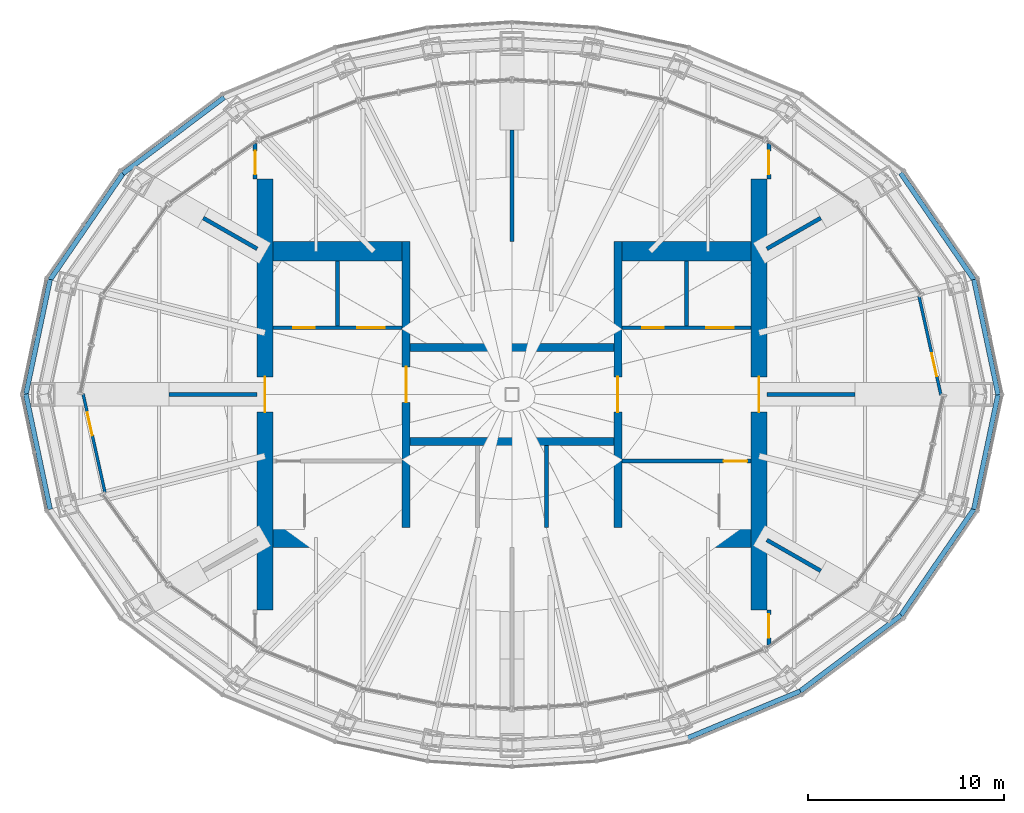
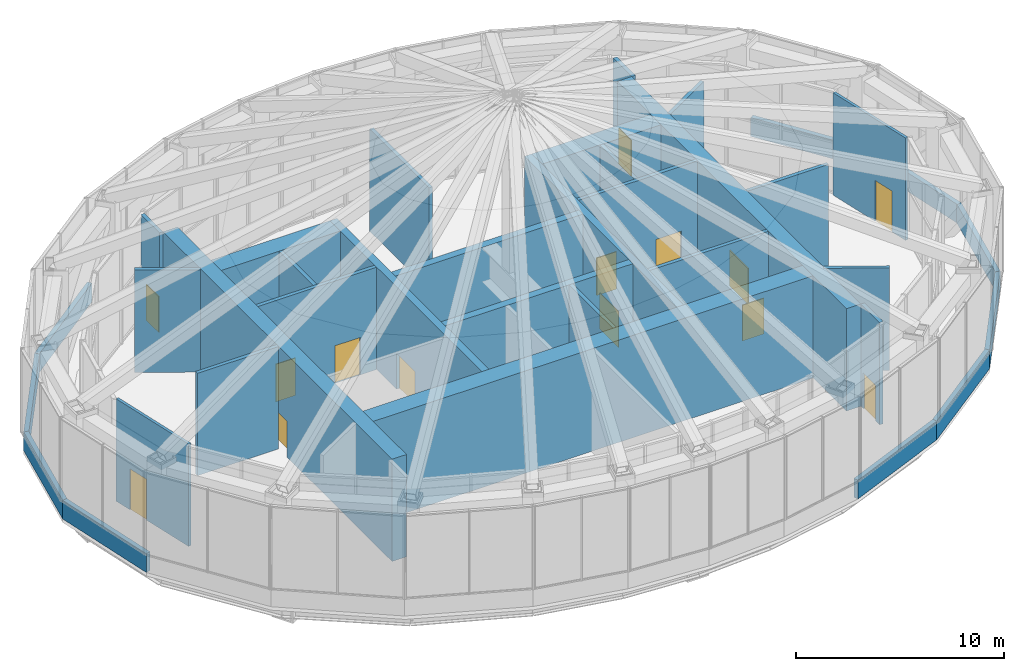
# One storey, part 19 of 21: 36 walls, 14 doors, 14 openings.
"""IFC4 building model written with IfcOpenShell, lengths in metres."""

from ifc_helpers import new_model, si_unit, direction, frame, frame_2d, origin, place, context, subcontext, project, spatial, rectangle, extrude, material, layer, layer_set, type_object, element, fill, save


model = new_model("IFC4")

# Units and contexts
model_context = context("Model", 3, precision=1e-05, world=origin(), true_north=direction((0.0, 1.0)))
body_context = subcontext(model_context, "Body", "Model", "MODEL_VIEW")
ifc_project = project(units=[si_unit("LENGTHUNIT", "METRE"), si_unit("AREAUNIT", "SQUARE_METRE"), si_unit("VOLUMEUNIT", "CUBIC_METRE"), si_unit("PLANEANGLEUNIT", "RADIAN"), si_unit("MASSUNIT", "GRAM", prefix="KILO")], contexts=[model_context])

# Site, building, storey
site_placement = place(None, origin())
site = spatial("IfcSite", under=ifc_project, at=site_placement, CompositionType="ELEMENT")
building_placement = place(site_placement, origin())
building = spatial("IfcBuilding", under=site, at=building_placement, Name="Lantaw Convention Tower", CompositionType="ELEMENT")
storey_placement = place(building_placement, frame((0.0, 0.0, 290.39990234375)))
storey = spatial("IfcBuildingStorey", under=building, at=storey_placement, Name="L67", CompositionType="ELEMENT", Elevation=290.39990234375)

# Walls
ifc_material_1 = material(Name="Concrete C60/75", Category="concrete")
ifc_layer_1 = layer(ifc_material_1, 1.0)
ifc_layer_set_1 = layer_set([ifc_layer_1], Name="Core wall 1000")
wall_type_1 = type_object("IfcWallType", Name="Core wall 1000", PredefinedType="SHEAR", material=ifc_layer_set_1)
wall_1_placement = place(storey_placement, frame((-12.199951171875, -7.300048828125, 0.0), z_axis=(0.0, 0.0, 1.0), x_axis=(1.0, 0.0, 0.0)))
element("IfcWall", 1, at=wall_1_placement, inside=storey, type_object=wall_type_1, Name="Core wall S", PredefinedType="SHEAR", context=body_context, shape_type="SweptSolid", body=[
    extrude(rectangle(XDim=24.39990234375, YDim=1.0, at=frame_2d((12.199951171875, 0.0))), origin(), (0.0, 0.0, 1.0), 6.0),
])
for number, where, z_axis, x_axis, name in (
    (2, (12.199951171875, 7.300048828125, 0.0), (0.0, 0.0, 1.0), (-1.0, 0.0, 0.0), "Core wall NE"),
    (3, (-5.60009765625, 7.300048828125, 0.0), (0.0, 0.0, 1.0), (-1.0, 0.0, 0.0), "Core wall NW"),
):
    element("IfcWall", number, at=place(storey_placement, frame(where, z_axis=z_axis, x_axis=x_axis)), inside=storey, type_object=wall_type_1, Name=name, PredefinedType="SHEAR", context=body_context, shape_type="SweptSolid", body=[
        extrude(rectangle(XDim=6.599853515625, YDim=1.0, at=frame_2d((3.2998046875, 0.0))), origin(), (0.0, 0.0, 1.0), 6.0),
    ])

# Wall, opening, door
ifc_layer_2 = layer(ifc_material_1, 0.199951171875)
ifc_layer_set_2 = layer_set([ifc_layer_2], Name="Core wall 200")
wall_type_2 = type_object("IfcWallType", Name="Core wall 200", PredefinedType="SHEAR", material=ifc_layer_set_2)
wall_2_placement = place(storey_placement, frame((5.60009765625, -3.39990234375, 0.0), z_axis=(0.0, 0.0, 1.0), x_axis=(1.0, 0.0, 0.0)))
wall_2 = element("IfcWall", 4, at=wall_2_placement, inside=storey, type_object=wall_type_2, Name="Core wall ES", PredefinedType="SHEAR", context=body_context, shape_type="SweptSolid", body=[
    extrude(rectangle(XDim=6.599853515625, YDim=0.199951171875, at=frame_2d((3.2998046875, 0.0))), origin(), (0.0, 0.0, 1.0), 6.0),
])
opening_1_placement = place(wall_2_placement, frame((5.199951171875, 0.0, 0.0)))
opening_1 = element("IfcOpeningElement", 5, at=opening_1_placement, cuts=wall_2, Name="Opening L67.03", PredefinedType="OPENING", context=body_context, shape_type="SweptSolid", body=[
    extrude(rectangle(XDim=1.199951171875, YDim=2.10009765625, at=frame_2d((0.60009765625, 1.050048828125))), frame((0.0, 0.10986328125, 0.0), z_axis=(0.0, -1.0, 0.0), x_axis=(1.0, 0.0, 0.0)), (0.0, 0.0, 1.0), 0.219970703125),
])
ifc_material_2 = material(Name="Steel, fire rated", Category="steel")
door_type_1 = type_object("IfcDoorType", Name="Stair door FD90", OperationType="SINGLE_SWING_RIGHT", PredefinedType="DOOR", material=ifc_material_2)
door_1_placement = place(opening_1_placement, origin())
door_1 = element("IfcDoor", 6, at=door_1_placement, inside=storey, type_object=door_type_1, Name="Exit stair door", OperationType="SINGLE_SWING_RIGHT", OverallHeight=2.10009765625, OverallWidth=1.199951171875, PredefinedType="DOOR", context=body_context, shape_type="SweptSolid", body=[
    extrude(rectangle(XDim=1.199951171875, YDim=2.10009765625, at=frame_2d((0.60009765625, 1.050048828125))), frame((0.0, 0.02490234375, 0.0), z_axis=(0.0, -1.0, 0.0), x_axis=(1.0, 0.0, 0.0)), (0.0, 0.0, 1.0), 0.050048828125),
])
fill(opening_1, door_1)

ifc_layer_3 = layer(ifc_material_1, 0.39990234375)
ifc_layer_set_3 = layer_set([ifc_layer_3], Name="Core wall 400")
wall_type_3 = type_object("IfcWallType", Name="Core wall 400", PredefinedType="SHEAR", material=ifc_layer_set_3)
wall_3_placement = place(storey_placement, frame((5.39990234375, -6.800048828125, 0.0), z_axis=(0.0, 0.0, 1.0), x_axis=(0.0, 1.0, 0.0)))
wall_3 = element("IfcWall", 7, at=wall_3_placement, inside=storey, type_object=wall_type_3, Name="Core wall XE", PredefinedType="SHEAR", context=body_context, shape_type="SweptSolid", body=[
    extrude(rectangle(XDim=14.60009765625, YDim=0.39990234375, at=frame_2d((7.300048828125, 0.0))), origin(), (0.0, 0.0, 1.0), 6.0),
])
opening_2_placement = place(wall_3_placement, frame((5.89990234375, 0.0, 0.0)))
opening_2 = element("IfcOpeningElement", 8, at=opening_2_placement, cuts=wall_3, Name="Opening L67.01", PredefinedType="OPENING", context=body_context, shape_type="SweptSolid", body=[
    extrude(rectangle(XDim=1.800048828125, YDim=2.10009765625, at=frame_2d((0.89990234375, 1.050048828125))), frame((0.0, 0.2099609375, 0.0), z_axis=(0.0, -1.0, 0.0), x_axis=(1.0, 0.0, 0.0)), (0.0, 0.0, 1.0), 0.419921875),
])
door_type_2 = type_object("IfcDoorType", Name="Lobby double door FD90", OperationType="DOUBLE_DOOR_DOUBLE_SWING", PredefinedType="DOOR", material=ifc_material_2)
door_2_placement = place(opening_2_placement, origin())
door_2 = element("IfcDoor", 9, at=door_2_placement, inside=storey, type_object=door_type_2, Name="Lift lobby door", OperationType="DOUBLE_DOOR_DOUBLE_SWING", OverallHeight=2.10009765625, OverallWidth=1.800048828125, PredefinedType="DOOR", context=body_context, shape_type="SweptSolid", body=[
    extrude(rectangle(XDim=1.800048828125, YDim=2.10009765625, at=frame_2d((0.89990234375, 1.050048828125))), frame((0.0, 0.02490234375, 0.0), z_axis=(0.0, -1.0, 0.0), x_axis=(1.0, 0.0, 0.0)), (0.0, 0.0, 1.0), 0.050048828125),
])
fill(opening_2, door_2)

wall_4_placement = place(storey_placement, frame((-5.39990234375, 7.800048828125, 0.0), z_axis=(0.0, 0.0, 1.0), x_axis=(0.0, -1.0, 0.0)))
wall_4 = element("IfcWall", 10, at=wall_4_placement, inside=storey, type_object=wall_type_3, Name="Core wall XW", PredefinedType="SHEAR", context=body_context, shape_type="SweptSolid", body=[
    extrude(rectangle(XDim=14.60009765625, YDim=0.39990234375, at=frame_2d((7.300048828125, 0.0))), origin(), (0.0, 0.0, 1.0), 6.0),
])
opening_3_placement = place(wall_4_placement, frame((6.39990234375, 0.0, 0.0)))
opening_3 = element("IfcOpeningElement", 11, at=opening_3_placement, cuts=wall_4, Name="Opening L67.02", PredefinedType="OPENING", context=body_context, shape_type="SweptSolid", body=[
    extrude(rectangle(XDim=1.800048828125, YDim=2.10009765625, at=frame_2d((0.89990234375, 1.050048828125))), frame((0.0, 0.2099609375, 0.0), z_axis=(0.0, -1.0, 0.0), x_axis=(1.0, 0.0, 0.0)), (0.0, 0.0, 1.0), 0.419921875),
])
door_3_placement = place(opening_3_placement, origin())
door_3 = element("IfcDoor", 12, at=door_3_placement, inside=storey, type_object=door_type_2, Name="Lift lobby door", OperationType="DOUBLE_DOOR_DOUBLE_SWING", OverallHeight=2.10009765625, OverallWidth=1.800048828125, PredefinedType="DOOR", context=body_context, shape_type="SweptSolid", body=[
    extrude(rectangle(XDim=1.800048828125, YDim=2.10009765625, at=frame_2d((0.89990234375, 1.050048828125))), frame((0.0, 0.02490234375, 0.0), z_axis=(0.0, -1.0, 0.0), x_axis=(1.0, 0.0, 0.0)), (0.0, 0.0, 1.0), 0.050048828125),
])
fill(opening_3, door_3)

# Walls
for number, where, z_axis, x_axis, name in (
    (13, (-5.199951171875, -2.39990234375, 0.0), (0.0, 0.0, 1.0), (1.0, 0.0, 0.0), "Core wall BS"),
    (14, (5.199951171875, 2.39990234375, 0.0), (0.0, 0.0, 1.0), (-1.0, 0.0, 0.0), "Core wall BN"),
):
    element("IfcWall", number, at=place(storey_placement, frame(where, z_axis=z_axis, x_axis=x_axis)), inside=storey, type_object=wall_type_3, Name=name, PredefinedType="SHEAR", context=body_context, shape_type="SweptSolid", body=[
        extrude(rectangle(XDim=10.39990234375, YDim=0.39990234375, at=frame_2d((5.199951171875, 0.0))), origin(), (0.0, 0.0, 1.0), 6.0),
    ])

# Wall, opening, door
ifc_layer_4 = layer(ifc_material_1, 0.800048828125)
ifc_layer_set_4 = layer_set([ifc_layer_4], Name="Core wall 800")
wall_type_4 = type_object("IfcWallType", Name="Core wall 800", PredefinedType="SHEAR", material=ifc_layer_set_4)
wall_5_placement = place(storey_placement, frame((12.60009765625, -11.0, 0.0), z_axis=(0.0, 0.0, 1.0), x_axis=(0.0, 1.0, 0.0)))
wall_5 = element("IfcWall", 15, at=wall_5_placement, inside=storey, type_object=wall_type_4, Name="Core wall E", PredefinedType="SHEAR", context=body_context, shape_type="SweptSolid", body=[
    extrude(rectangle(XDim=22.0, YDim=0.800048828125, at=frame_2d((11.0, 0.0))), origin(), (0.0, 0.0, 1.0), 6.0),
])
opening_4_placement = place(wall_5_placement, frame((10.10009765625, 0.0, 0.0)))
opening_4 = element("IfcOpeningElement", 16, at=opening_4_placement, cuts=wall_5, Name="Opening L67.05", PredefinedType="OPENING", context=body_context, shape_type="SweptSolid", body=[
    extrude(rectangle(XDim=1.800048828125, YDim=2.10009765625, at=frame_2d((0.89990234375, 1.050048828125))), frame((0.0, 0.409912109375, 0.0), z_axis=(0.0, -1.0, 0.0), x_axis=(1.0, 0.0, 0.0)), (0.0, 0.0, 1.0), 0.820068359375),
])
door_4_placement = place(opening_4_placement, origin())
door_4 = element("IfcDoor", 17, at=door_4_placement, inside=storey, type_object=door_type_2, Name="Firefighting lobby door", OperationType="DOUBLE_DOOR_DOUBLE_SWING", OverallHeight=2.10009765625, OverallWidth=1.800048828125, PredefinedType="DOOR", context=body_context, shape_type="SweptSolid", body=[
    extrude(rectangle(XDim=1.800048828125, YDim=2.10009765625, at=frame_2d((0.89990234375, 1.050048828125))), frame((0.0, 0.02490234375, 0.0), z_axis=(0.0, -1.0, 0.0), x_axis=(1.0, 0.0, 0.0)), (0.0, 0.0, 1.0), 0.050048828125),
])
fill(opening_4, door_4)

wall_6_placement = place(storey_placement, frame((-12.60009765625, 11.0, 0.0), z_axis=(0.0, 0.0, 1.0), x_axis=(0.0, -1.0, 0.0)))
wall_6 = element("IfcWall", 18, at=wall_6_placement, inside=storey, type_object=wall_type_4, Name="Core wall W", PredefinedType="SHEAR", context=body_context, shape_type="SweptSolid", body=[
    extrude(rectangle(XDim=22.0, YDim=0.800048828125, at=frame_2d((11.0, 0.0))), origin(), (0.0, 0.0, 1.0), 6.0),
])
opening_5_placement = place(wall_6_placement, frame((10.10009765625, 0.0, 0.0)))
opening_5 = element("IfcOpeningElement", 19, at=opening_5_placement, cuts=wall_6, Name="Opening L67.06", PredefinedType="OPENING", context=body_context, shape_type="SweptSolid", body=[
    extrude(rectangle(XDim=1.800048828125, YDim=2.10009765625, at=frame_2d((0.89990234375, 1.050048828125))), frame((0.0, 0.409912109375, 0.0), z_axis=(0.0, -1.0, 0.0), x_axis=(1.0, 0.0, 0.0)), (0.0, 0.0, 1.0), 0.820068359375),
])
door_5_placement = place(opening_5_placement, origin())
door_5 = element("IfcDoor", 20, at=door_5_placement, inside=storey, type_object=door_type_2, Name="Firefighting lobby door", OperationType="DOUBLE_DOOR_DOUBLE_SWING", OverallHeight=2.10009765625, OverallWidth=1.800048828125, PredefinedType="DOOR", context=body_context, shape_type="SweptSolid", body=[
    extrude(rectangle(XDim=1.800048828125, YDim=2.10009765625, at=frame_2d((0.89990234375, 1.050048828125))), frame((0.0, 0.02490234375, 0.0), z_axis=(0.0, -1.0, 0.0), x_axis=(1.0, 0.0, 0.0)), (0.0, 0.0, 1.0), 0.050048828125),
])
fill(opening_5, door_5)

ifc_material_3 = material(Name="Aluminium framed glazing", Category="aluminium")
ifc_layer_5 = layer(ifc_material_3, 0.14990234375)
ifc_layer_set_5 = layer_set([ifc_layer_5], Name="Glazed entrance screen 150")
wall_type_5 = type_object("IfcWallType", Name="Glazed entrance screen 150", PredefinedType="ELEMENTEDWALL", material=ifc_layer_set_5)
wall_7_placement = place(storey_placement, frame((21.88037109375, -0.032470703125, 0.0), z_axis=(0.0, 0.0, 1.0), x_axis=(-0.216770090684, 0.976222683503, 0.0)))
wall_7 = element("IfcWall", 21, at=wall_7_placement, inside=storey, type_object=wall_type_5, Name="Glazed entrance screen", PredefinedType="ELEMENTEDWALL", context=body_context, shape_type="SweptSolid", body=[
    extrude(rectangle(XDim=5.158203125, YDim=0.14990234375, at=frame_2d((2.5791015625, 0.0))), origin(), (0.0, 0.0, 1.0), 6.0),
])
opening_6_placement = place(wall_7_placement, frame((0.979248046875, 0.0, 0.0)))
opening_6 = element("IfcOpeningElement", 22, at=opening_6_placement, cuts=wall_7, Name="Opening L67.E00", PredefinedType="OPENING", context=body_context, shape_type="SweptSolid", body=[
    extrude(rectangle(XDim=1.199951171875, YDim=2.39990234375, at=frame_2d((0.60009765625, 1.199951171875))), frame((0.0, 0.0849609375, 0.0), z_axis=(0.0, -1.0, 0.0), x_axis=(1.0, 0.0, 0.0)), (0.0, 0.0, 1.0), 0.169921875),
])
ifc_material_4 = material(Name="Aluminium and glass", Category="aluminium")
door_type_3 = type_object("IfcDoorType", Name="Ledge maintenance door 1200", OperationType="DOUBLE_DOOR_DOUBLE_SWING", PredefinedType="DOOR", material=ifc_material_4)
door_6_placement = place(opening_6_placement, origin())
door_6 = element("IfcDoor", 23, at=door_6_placement, inside=storey, type_object=door_type_3, Name="Ledge maintenance access door", OperationType="DOUBLE_DOOR_DOUBLE_SWING", OverallHeight=2.39990234375, OverallWidth=1.199951171875, PredefinedType="DOOR", context=body_context, shape_type="SweptSolid", body=[
    extrude(rectangle(XDim=1.199951171875, YDim=2.39990234375, at=frame_2d((0.60009765625, 1.199951171875))), frame((0.0, 0.02490234375, 0.0), z_axis=(0.0, -1.0, 0.0), x_axis=(1.0, 0.0, 0.0)), (0.0, 0.0, 1.0), 0.050048828125),
])
fill(opening_6, door_6)

wall_8_placement = place(storey_placement, frame((-21.88037109375, 0.032470703125, 0.0), z_axis=(0.0, 0.0, 1.0), x_axis=(0.216770090684, -0.976222683503, 0.0)))
wall_8 = element("IfcWall", 24, at=wall_8_placement, inside=storey, type_object=wall_type_5, Name="Glazed entrance screen", PredefinedType="ELEMENTEDWALL", context=body_context, shape_type="SweptSolid", body=[
    extrude(rectangle(XDim=5.158203125, YDim=0.14990234375, at=frame_2d((2.5791015625, 0.0))), origin(), (0.0, 0.0, 1.0), 6.0),
])
opening_7_placement = place(wall_8_placement, frame((0.979248046875, 0.0, 0.0)))
opening_7 = element("IfcOpeningElement", 25, at=opening_7_placement, cuts=wall_8, Name="Opening L67.E12", PredefinedType="OPENING", context=body_context, shape_type="SweptSolid", body=[
    extrude(rectangle(XDim=1.199951171875, YDim=2.39990234375, at=frame_2d((0.60009765625, 1.199951171875))), frame((0.0, 0.0849609375, 0.0), z_axis=(0.0, -1.0, 0.0), x_axis=(1.0, 0.0, 0.0)), (0.0, 0.0, 1.0), 0.169921875),
])
door_7_placement = place(opening_7_placement, origin())
door_7 = element("IfcDoor", 26, at=door_7_placement, inside=storey, type_object=door_type_3, Name="Ledge maintenance access door", OperationType="DOUBLE_DOOR_DOUBLE_SWING", OverallHeight=2.39990234375, OverallWidth=1.199951171875, PredefinedType="DOOR", context=body_context, shape_type="SweptSolid", body=[
    extrude(rectangle(XDim=1.199951171875, YDim=2.39990234375, at=frame_2d((0.60009765625, 1.199951171875))), frame((0.0, 0.02490234375, 0.0), z_axis=(0.0, -1.0, 0.0), x_axis=(1.0, 0.0, 0.0)), (0.0, 0.0, 1.0), 0.050048828125),
])
fill(opening_7, door_7)

# Walls
ifc_material_5 = material(Name="Concrete C35/45 with aluminium coping", Category="concrete")
ifc_layer_6 = layer(ifc_material_5, 0.25)
ifc_layer_set_6 = layer_set([ifc_layer_6], Name="Parapet 250")
wall_type_6 = type_object("IfcWallType", Name="Parapet 250", PredefinedType="PARAPET", material=ifc_layer_set_6)
wall_9_placement = place(storey_placement, frame((24.7998046875, -0.01953125, 0.0), z_axis=(0.0, 0.0, 1.0), x_axis=(-0.2058241832, 0.978588987068, 0.0)))
element("IfcWall", 27, at=wall_9_placement, inside=storey, type_object=wall_type_6, Name="Ledge parapet", PredefinedType="PARAPET", context=body_context, shape_type="SweptSolid", body=[
    extrude(rectangle(XDim=6.01025390625, YDim=0.25, at=frame_2d((3.005126953125, 0.0))), origin(), (0.0, 0.0, 1.0), 1.10009765625),
])
wall_10_placement = place(storey_placement, frame((23.578125, 5.825927734375, 0.0), z_axis=(0.0, 0.0, 1.0), x_axis=(-0.565946016037, 0.824442300547, 0.0)))
element("IfcWall", 28, at=wall_10_placement, inside=storey, type_object=wall_type_6, Name="Ledge parapet", PredefinedType="PARAPET", context=body_context, shape_type="SweptSolid", body=[
    extrude(rectangle(XDim=6.633056640625, YDim=0.25, at=frame_2d((3.31640625, 0.0))), origin(), (0.0, 0.0, 1.0), 1.10009765625),
])
wall_11_placement = place(storey_placement, frame((-14.67578125, 15.154296875, 0.0), z_axis=(0.0, 0.0, 1.0), x_axis=(-0.799529087679, -0.600627370301, 0.0)))
element("IfcWall", 29, at=wall_11_placement, inside=storey, type_object=wall_type_6, Name="Ledge parapet", PredefinedType="PARAPET", context=body_context, shape_type="SweptSolid", body=[
    extrude(rectangle(XDim=6.4736328125, YDim=0.25, at=frame_2d((3.23681640625, 0.0))), origin(), (0.0, 0.0, 1.0), 1.10009765625),
])
wall_12_placement = place(storey_placement, frame((-19.82421875, 11.29443359375, 0.0), z_axis=(0.0, 0.0, 1.0), x_axis=(-0.565946016037, -0.824442300547, 0.0)))
element("IfcWall", 30, at=wall_12_placement, inside=storey, type_object=wall_type_6, Name="Ledge parapet", PredefinedType="PARAPET", context=body_context, shape_type="SweptSolid", body=[
    extrude(rectangle(XDim=6.633056640625, YDim=0.25, at=frame_2d((3.31640625, 0.0))), origin(), (0.0, 0.0, 1.0), 1.10009765625),
])
for number, where, z_axis, x_axis, name in (
    (31, (-23.562744140625, 5.862060546875, 0.0), (0.0, 0.0, 1.0), (-0.2058241832, -0.978588987068, 0.0), "Ledge parapet"),
    (32, (-24.7998046875, 0.01953125, 0.0), (0.0, 0.0, 1.0), (0.2058241832, -0.978588987068, 0.0), "Ledge parapet"),
):
    element("IfcWall", number, at=place(storey_placement, frame(where, z_axis=z_axis, x_axis=x_axis)), inside=storey, type_object=wall_type_6, Name=name, PredefinedType="PARAPET", context=body_context, shape_type="SweptSolid", body=[
        extrude(rectangle(XDim=6.01025390625, YDim=0.25, at=frame_2d((3.005126953125, 0.0))), origin(), (0.0, 0.0, 1.0), 1.10009765625),
    ])
wall_13_placement = place(storey_placement, frame((8.94970703125, -17.533935546875, 0.0), z_axis=(0.0, 0.0, 1.0), x_axis=(0.923135945789, 0.384473699481, 0.0)))
element("IfcWall", 33, at=wall_13_placement, inside=storey, type_object=wall_type_6, Name="Ledge parapet", PredefinedType="PARAPET", context=body_context, shape_type="SweptSolid", body=[
    extrude(rectangle(XDim=6.240234375, YDim=0.25, at=frame_2d((3.1201171875, 0.0))), origin(), (0.0, 0.0, 1.0), 1.10009765625),
])
wall_14_placement = place(storey_placement, frame((14.67578125, -15.154296875, 0.0), z_axis=(0.0, 0.0, 1.0), x_axis=(0.799529087679, 0.600627370301, 0.0)))
element("IfcWall", 34, at=wall_14_placement, inside=storey, type_object=wall_type_6, Name="Ledge parapet", PredefinedType="PARAPET", context=body_context, shape_type="SweptSolid", body=[
    extrude(rectangle(XDim=6.4736328125, YDim=0.25, at=frame_2d((3.23681640625, 0.0))), origin(), (0.0, 0.0, 1.0), 1.10009765625),
])
wall_15_placement = place(storey_placement, frame((19.82421875, -11.29443359375, 0.0), z_axis=(0.0, 0.0, 1.0), x_axis=(0.565946016037, 0.824442300547, 0.0)))
element("IfcWall", 35, at=wall_15_placement, inside=storey, type_object=wall_type_6, Name="Ledge parapet", PredefinedType="PARAPET", context=body_context, shape_type="SweptSolid", body=[
    extrude(rectangle(XDim=6.633056640625, YDim=0.25, at=frame_2d((3.31640625, 0.0))), origin(), (0.0, 0.0, 1.0), 1.10009765625),
])
wall_16_placement = place(storey_placement, frame((23.562744140625, -5.862060546875, 0.0), z_axis=(0.0, 0.0, 1.0), x_axis=(0.2058241832, 0.978588987068, 0.0)))
element("IfcWall", 36, at=wall_16_placement, inside=storey, type_object=wall_type_6, Name="Ledge parapet", PredefinedType="PARAPET", context=body_context, shape_type="SweptSolid", body=[
    extrude(rectangle(XDim=6.01025390625, YDim=0.25, at=frame_2d((3.005126953125, 0.0))), origin(), (0.0, 0.0, 1.0), 1.10009765625),
])

# Wall, opening, door
ifc_material_6 = material(Name="Concrete blockwork, fire rated", Category="masonry")
ifc_layer_7 = layer(ifc_material_6, 0.199951171875)
ifc_layer_set_7 = layer_set([ifc_layer_7], Name="Plant room wall 200 EI 120")
wall_type_7 = type_object("IfcWallType", Name="Plant room wall 200 EI 120", PredefinedType="SOLIDWALL", material=ifc_layer_set_7)
wall_17_placement = place(storey_placement, frame((-13.10009765625, 11.0, 0.0), z_axis=(0.0, 0.0, 1.0), x_axis=(0.0, 1.0, 0.0)))
wall_17 = element("IfcWall", 37, at=wall_17_placement, inside=storey, type_object=wall_type_7, Name="Plant room wall 200", PredefinedType="SOLIDWALL", context=body_context, shape_type="SweptSolid", body=[
    extrude(rectangle(XDim=1.79443359375, YDim=0.199951171875, at=frame_2d((0.897216796875, 0.0))), origin(), (0.0, 0.0, 1.0), 6.0),
])
opening_8_placement = place(wall_17_placement, frame((0.22119140625, 0.0, 0.0)))
opening_8 = element("IfcOpeningElement", 38, at=opening_8_placement, cuts=wall_17, Name="Opening L67.12", PredefinedType="OPENING", context=body_context, shape_type="SweptSolid", body=[
    extrude(rectangle(XDim=1.199951171875, YDim=2.10009765625, at=frame_2d((0.60009765625, 1.050048828125))), frame((0.0, 0.10986328125, 0.0), z_axis=(0.0, -1.0, 0.0), x_axis=(1.0, 0.0, 0.0)), (0.0, 0.0, 1.0), 0.219970703125),
])
door_type_4 = type_object("IfcDoorType", Name="Plant room single door FD90", OperationType="SINGLE_SWING_LEFT", PredefinedType="DOOR", material=ifc_material_2)
door_8_placement = place(opening_8_placement, origin())
door_8 = element("IfcDoor", 39, at=door_8_placement, inside=storey, type_object=door_type_4, Name="Plant room door", OperationType="SINGLE_SWING_LEFT", OverallHeight=2.10009765625, OverallWidth=1.199951171875, PredefinedType="DOOR", context=body_context, shape_type="SweptSolid", body=[
    extrude(rectangle(XDim=1.199951171875, YDim=2.10009765625, at=frame_2d((0.60009765625, 1.050048828125))), frame((0.0, 0.02490234375, 0.0), z_axis=(0.0, -1.0, 0.0), x_axis=(1.0, 0.0, 0.0)), (0.0, 0.0, 1.0), 0.050048828125),
])
fill(opening_8, door_8)

wall_18_placement = place(storey_placement, frame((13.10009765625, -11.0, 0.0), z_axis=(0.0, 0.0, 1.0), x_axis=(0.0, -1.0, 0.0)))
wall_18 = element("IfcWall", 40, at=wall_18_placement, inside=storey, type_object=wall_type_7, Name="Plant room wall 200", PredefinedType="SOLIDWALL", context=body_context, shape_type="SweptSolid", body=[
    extrude(rectangle(XDim=1.79443359375, YDim=0.199951171875, at=frame_2d((0.897216796875, 0.0))), origin(), (0.0, 0.0, 1.0), 6.0),
])
opening_9_placement = place(wall_18_placement, frame((0.22119140625, 0.0, 0.0)))
opening_9 = element("IfcOpeningElement", 41, at=opening_9_placement, cuts=wall_18, Name="Opening L67.13", PredefinedType="OPENING", context=body_context, shape_type="SweptSolid", body=[
    extrude(rectangle(XDim=1.199951171875, YDim=2.10009765625, at=frame_2d((0.60009765625, 1.050048828125))), frame((0.0, 0.10986328125, 0.0), z_axis=(0.0, -1.0, 0.0), x_axis=(1.0, 0.0, 0.0)), (0.0, 0.0, 1.0), 0.219970703125),
])
door_9_placement = place(opening_9_placement, origin())
door_9 = element("IfcDoor", 42, at=door_9_placement, inside=storey, type_object=door_type_4, Name="Plant room door", OperationType="SINGLE_SWING_LEFT", OverallHeight=2.10009765625, OverallWidth=1.199951171875, PredefinedType="DOOR", context=body_context, shape_type="SweptSolid", body=[
    extrude(rectangle(XDim=1.199951171875, YDim=2.10009765625, at=frame_2d((0.60009765625, 1.050048828125))), frame((0.0, 0.02490234375, 0.0), z_axis=(0.0, -1.0, 0.0), x_axis=(1.0, 0.0, 0.0)), (0.0, 0.0, 1.0), 0.050048828125),
])
fill(opening_9, door_9)

wall_19_placement = place(storey_placement, frame((13.10009765625, 11.0, 0.0), z_axis=(0.0, 0.0, 1.0), x_axis=(0.0, 1.0, 0.0)))
wall_19 = element("IfcWall", 43, at=wall_19_placement, inside=storey, type_object=wall_type_7, Name="Plant room wall 200", PredefinedType="SOLIDWALL", context=body_context, shape_type="SweptSolid", body=[
    extrude(rectangle(XDim=1.79443359375, YDim=0.199951171875, at=frame_2d((0.897216796875, 0.0))), origin(), (0.0, 0.0, 1.0), 6.0),
])
opening_10_placement = place(wall_19_placement, frame((0.22119140625, 0.0, 0.0)))
opening_10 = element("IfcOpeningElement", 44, at=opening_10_placement, cuts=wall_19, Name="Opening L67.14", PredefinedType="OPENING", context=body_context, shape_type="SweptSolid", body=[
    extrude(rectangle(XDim=1.199951171875, YDim=2.10009765625, at=frame_2d((0.60009765625, 1.050048828125))), frame((0.0, 0.10986328125, 0.0), z_axis=(0.0, -1.0, 0.0), x_axis=(1.0, 0.0, 0.0)), (0.0, 0.0, 1.0), 0.219970703125),
])
door_10_placement = place(opening_10_placement, origin())
door_10 = element("IfcDoor", 45, at=door_10_placement, inside=storey, type_object=door_type_4, Name="Plant room door", OperationType="SINGLE_SWING_LEFT", OverallHeight=2.10009765625, OverallWidth=1.199951171875, PredefinedType="DOOR", context=body_context, shape_type="SweptSolid", body=[
    extrude(rectangle(XDim=1.199951171875, YDim=2.10009765625, at=frame_2d((0.60009765625, 1.050048828125))), frame((0.0, 0.02490234375, 0.0), z_axis=(0.0, -1.0, 0.0), x_axis=(1.0, 0.0, 0.0)), (0.0, 0.0, 1.0), 0.050048828125),
])
fill(opening_10, door_10)

# Walls
wall_20_placement = place(storey_placement, frame((13.0, 0.0, 0.0), z_axis=(0.0, 0.0, 1.0), x_axis=(1.0, 0.0, 0.0)))
element("IfcWall", 46, at=wall_20_placement, inside=storey, type_object=wall_type_7, Name="Plant room wall 200", PredefinedType="SOLIDWALL", context=body_context, shape_type="SweptSolid", body=[
    extrude(rectangle(XDim=4.5, YDim=0.199951171875, at=frame_2d((2.25, 0.0))), origin(), (0.0, 0.0, 1.0), 6.0),
])
wall_21_placement = place(storey_placement, frame((13.0, 7.428466796875, 0.0), z_axis=(0.0, 0.0, 1.0), x_axis=(0.868228911617, 0.496163840916, 0.0)))
element("IfcWall", 47, at=wall_21_placement, inside=storey, type_object=wall_type_7, Name="Plant room wall 200", PredefinedType="SOLIDWALL", context=body_context, shape_type="SweptSolid", body=[
    extrude(rectangle(XDim=3.16748046875, YDim=0.199951171875, at=frame_2d((1.583740234375, 0.0))), origin(), (0.0, 0.0, 1.0), 6.0),
])
wall_22_placement = place(storey_placement, frame((0.0, 7.800048828125, 0.0), z_axis=(0.0, 0.0, 1.0), x_axis=(0.0, 1.0, 0.0)))
element("IfcWall", 48, at=wall_22_placement, inside=storey, type_object=wall_type_7, Name="Plant room wall 200", PredefinedType="SOLIDWALL", context=body_context, shape_type="SweptSolid", body=[
    extrude(rectangle(XDim=5.699951171875, YDim=0.199951171875, at=frame_2d((2.85009765625, 0.0))), origin(), (0.0, 0.0, 1.0), 6.0),
])
wall_23_placement = place(storey_placement, frame((-13.0, 7.428466796875, 0.0), z_axis=(0.0, 0.0, 1.0), x_axis=(-0.868228911617, 0.496163840916, 0.0)))
element("IfcWall", 49, at=wall_23_placement, inside=storey, type_object=wall_type_7, Name="Plant room wall 200", PredefinedType="SOLIDWALL", context=body_context, shape_type="SweptSolid", body=[
    extrude(rectangle(XDim=3.16748046875, YDim=0.199951171875, at=frame_2d((1.583740234375, 0.0))), origin(), (0.0, 0.0, 1.0), 6.0),
])
wall_24_placement = place(storey_placement, frame((-13.0, 0.0, 0.0), z_axis=(0.0, 0.0, 1.0), x_axis=(-1.0, 0.0, 0.0)))
element("IfcWall", 50, at=wall_24_placement, inside=storey, type_object=wall_type_7, Name="Plant room wall 200", PredefinedType="SOLIDWALL", context=body_context, shape_type="SweptSolid", body=[
    extrude(rectangle(XDim=4.5, YDim=0.199951171875, at=frame_2d((2.25, 0.0))), origin(), (0.0, 0.0, 1.0), 6.0),
])
wall_25_placement = place(storey_placement, frame((13.0, -7.428466796875, 0.0), z_axis=(0.0, 0.0, 1.0), x_axis=(0.868228911617, -0.496163840916, 0.0)))
element("IfcWall", 51, at=wall_25_placement, inside=storey, type_object=wall_type_7, Name="Plant room wall 200", PredefinedType="SOLIDWALL", context=body_context, shape_type="SweptSolid", body=[
    extrude(rectangle(XDim=3.16748046875, YDim=0.199951171875, at=frame_2d((1.583740234375, 0.0))), origin(), (0.0, 0.0, 1.0), 6.0),
])

# Wall, openings, doors
ifc_layer_8 = layer(ifc_material_6, 0.199951171875)
ifc_layer_set_8 = layer_set([ifc_layer_8], Name="Shaft wall 200")
wall_type_8 = type_object("IfcWallType", Name="Shaft wall 200", PredefinedType="SOLIDWALL", material=ifc_layer_set_8)
wall_26_placement = place(storey_placement, frame((12.199951171875, 3.39990234375, 0.0), z_axis=(0.0, 0.0, 1.0), x_axis=(-1.0, 0.0, 0.0)))
wall_26 = element("IfcWall", 52, at=wall_26_placement, inside=storey, type_object=wall_type_8, Name="Shaft wall EN", PredefinedType="SOLIDWALL", context=body_context, shape_type="SweptSolid", body=[
    extrude(rectangle(XDim=6.599853515625, YDim=0.199951171875, at=frame_2d((3.2998046875, 0.0))), origin(), (0.0, 0.0, 1.0), 6.0),
])
opening_11_placement = place(wall_26_placement, frame((4.449951171875, 0.0, 0.0)))
opening_11 = element("IfcOpeningElement", 53, at=opening_11_placement, cuts=wall_26, Name="Opening L67.09", PredefinedType="OPENING", context=body_context, shape_type="SweptSolid", body=[
    extrude(rectangle(XDim=1.10009765625, YDim=2.199951171875, at=frame_2d((0.550048828125, 1.10009765625))), frame((0.0, 0.10986328125, 0.0), z_axis=(0.0, -1.0, 0.0), x_axis=(1.0, 0.0, 0.0)), (0.0, 0.0, 1.0), 0.219970703125),
])
opening_12_placement = place(wall_26_placement, frame((0.89990234375, 0.0, 0.0)))
opening_12 = element("IfcOpeningElement", 54, at=opening_12_placement, cuts=wall_26, Name="Opening L67.10", PredefinedType="OPENING", context=body_context, shape_type="SweptSolid", body=[
    extrude(rectangle(XDim=1.39990234375, YDim=2.199951171875, at=frame_2d((0.699951171875, 1.10009765625))), frame((0.0, 0.10986328125, 0.0), z_axis=(0.0, -1.0, 0.0), x_axis=(1.0, 0.0, 0.0)), (0.0, 0.0, 1.0), 0.219970703125),
])
ifc_material_7 = material(Name="Stainless steel", Category="steel")
door_type_5 = type_object("IfcDoorType", Name="Lift landing door 1100", OperationType="DOUBLE_DOOR_SLIDING", PredefinedType="DOOR", material=ifc_material_7)
door_11_placement = place(opening_11_placement, origin())
door_11 = element("IfcDoor", 55, at=door_11_placement, inside=storey, type_object=door_type_5, Name="Lift landing door FF2", OperationType="DOUBLE_DOOR_SLIDING", OverallHeight=2.199951171875, OverallWidth=1.10009765625, PredefinedType="DOOR", context=body_context, shape_type="SweptSolid", body=[
    extrude(rectangle(XDim=1.10009765625, YDim=2.199951171875, at=frame_2d((0.550048828125, 1.10009765625))), frame((0.0, 0.02490234375, 0.0), z_axis=(0.0, -1.0, 0.0), x_axis=(1.0, 0.0, 0.0)), (0.0, 0.0, 1.0), 0.050048828125),
])
fill(opening_11, door_11)
door_type_6 = type_object("IfcDoorType", Name="Lift landing door 1400", OperationType="DOUBLE_DOOR_SLIDING", PredefinedType="DOOR", material=ifc_material_7)
door_12_placement = place(opening_12_placement, origin())
door_12 = element("IfcDoor", 56, at=door_12_placement, inside=storey, type_object=door_type_6, Name="Lift landing door SV2", OperationType="DOUBLE_DOOR_SLIDING", OverallHeight=2.199951171875, OverallWidth=1.39990234375, PredefinedType="DOOR", context=body_context, shape_type="SweptSolid", body=[
    extrude(rectangle(XDim=1.39990234375, YDim=2.199951171875, at=frame_2d((0.699951171875, 1.10009765625))), frame((0.0, 0.02490234375, 0.0), z_axis=(0.0, -1.0, 0.0), x_axis=(1.0, 0.0, 0.0)), (0.0, 0.0, 1.0), 0.050048828125),
])
fill(opening_12, door_12)

# Wall
wall_27_placement = place(storey_placement, frame((8.89990234375, 3.5, 0.0), z_axis=(0.0, 0.0, 1.0), x_axis=(0.0, 1.0, 0.0)))
element("IfcWall", 57, at=wall_27_placement, inside=storey, type_object=wall_type_8, Name="Shaft wall ED", PredefinedType="SOLIDWALL", context=body_context, shape_type="SweptSolid", body=[
    extrude(rectangle(XDim=3.300048828125, YDim=0.199951171875, at=frame_2d((1.64990234375, 0.0))), origin(), (0.0, 0.0, 1.0), 6.0),
])

# Wall, openings, doors
wall_28_placement = place(storey_placement, frame((-12.199951171875, 3.39990234375, 0.0), z_axis=(0.0, 0.0, 1.0), x_axis=(1.0, 0.0, 0.0)))
wall_28 = element("IfcWall", 58, at=wall_28_placement, inside=storey, type_object=wall_type_8, Name="Shaft wall WN", PredefinedType="SOLIDWALL", context=body_context, shape_type="SweptSolid", body=[
    extrude(rectangle(XDim=6.599853515625, YDim=0.199951171875, at=frame_2d((3.2998046875, 0.0))), origin(), (0.0, 0.0, 1.0), 6.0),
])
opening_13_placement = place(wall_28_placement, frame((1.050048828125, 0.0, 0.0)))
opening_13 = element("IfcOpeningElement", 59, at=opening_13_placement, cuts=wall_28, Name="Opening L67.07", PredefinedType="OPENING", context=body_context, shape_type="SweptSolid", body=[
    extrude(rectangle(XDim=1.10009765625, YDim=2.199951171875, at=frame_2d((0.550048828125, 1.10009765625))), frame((0.0, 0.10986328125, 0.0), z_axis=(0.0, -1.0, 0.0), x_axis=(1.0, 0.0, 0.0)), (0.0, 0.0, 1.0), 0.219970703125),
])
opening_14_placement = place(wall_28_placement, frame((4.300048828125, 0.0, 0.0)))
opening_14 = element("IfcOpeningElement", 60, at=opening_14_placement, cuts=wall_28, Name="Opening L67.08", PredefinedType="OPENING", context=body_context, shape_type="SweptSolid", body=[
    extrude(rectangle(XDim=1.39990234375, YDim=2.199951171875, at=frame_2d((0.699951171875, 1.10009765625))), frame((0.0, 0.10986328125, 0.0), z_axis=(0.0, -1.0, 0.0), x_axis=(1.0, 0.0, 0.0)), (0.0, 0.0, 1.0), 0.219970703125),
])
door_13_placement = place(opening_13_placement, origin())
door_13 = element("IfcDoor", 61, at=door_13_placement, inside=storey, type_object=door_type_5, Name="Lift landing door FF1", OperationType="DOUBLE_DOOR_SLIDING", OverallHeight=2.199951171875, OverallWidth=1.10009765625, PredefinedType="DOOR", context=body_context, shape_type="SweptSolid", body=[
    extrude(rectangle(XDim=1.10009765625, YDim=2.199951171875, at=frame_2d((0.550048828125, 1.10009765625))), frame((0.0, 0.02490234375, 0.0), z_axis=(0.0, -1.0, 0.0), x_axis=(1.0, 0.0, 0.0)), (0.0, 0.0, 1.0), 0.050048828125),
])
fill(opening_13, door_13)
door_14_placement = place(opening_14_placement, origin())
door_14 = element("IfcDoor", 62, at=door_14_placement, inside=storey, type_object=door_type_6, Name="Lift landing door SV1", OperationType="DOUBLE_DOOR_SLIDING", OverallHeight=2.199951171875, OverallWidth=1.39990234375, PredefinedType="DOOR", context=body_context, shape_type="SweptSolid", body=[
    extrude(rectangle(XDim=1.39990234375, YDim=2.199951171875, at=frame_2d((0.699951171875, 1.10009765625))), frame((0.0, 0.02490234375, 0.0), z_axis=(0.0, -1.0, 0.0), x_axis=(1.0, 0.0, 0.0)), (0.0, 0.0, 1.0), 0.050048828125),
])
fill(opening_14, door_14)

# Walls
wall_29_placement = place(storey_placement, frame((-8.89990234375, 3.5, 0.0), z_axis=(0.0, 0.0, 1.0), x_axis=(0.0, 1.0, 0.0)))
element("IfcWall", 63, at=wall_29_placement, inside=storey, type_object=wall_type_8, Name="Shaft wall WD", PredefinedType="SOLIDWALL", context=body_context, shape_type="SweptSolid", body=[
    extrude(rectangle(XDim=3.300048828125, YDim=0.199951171875, at=frame_2d((1.64990234375, 0.0))), origin(), (0.0, 0.0, 1.0), 6.0),
])
ifc_layer_9 = layer(ifc_material_6, 0.199951171875)
ifc_layer_set_9 = layer_set([ifc_layer_9], Name="Shaft wall 200 load-bearing")
wall_type_9 = type_object("IfcWallType", Name="Shaft wall 200 load-bearing", PredefinedType="SOLIDWALL", material=ifc_layer_set_9)
wall_30_placement = place(storey_placement, frame((1.7666015625, -2.60009765625, 0.0), z_axis=(0.0, 0.0, 1.0), x_axis=(0.0, -1.0, 0.0)))
element("IfcWall", 64, at=wall_30_placement, inside=storey, type_object=wall_type_9, Name="Shaft wall DS2", PredefinedType="SOLIDWALL", context=body_context, shape_type="SweptSolid", body=[
    extrude(rectangle(XDim=4.199951171875, YDim=0.199951171875, at=frame_2d((2.10009765625, 0.0))), origin(), (0.0, 0.0, 1.0), 6.0),
])

save(model, "model.ifc")
